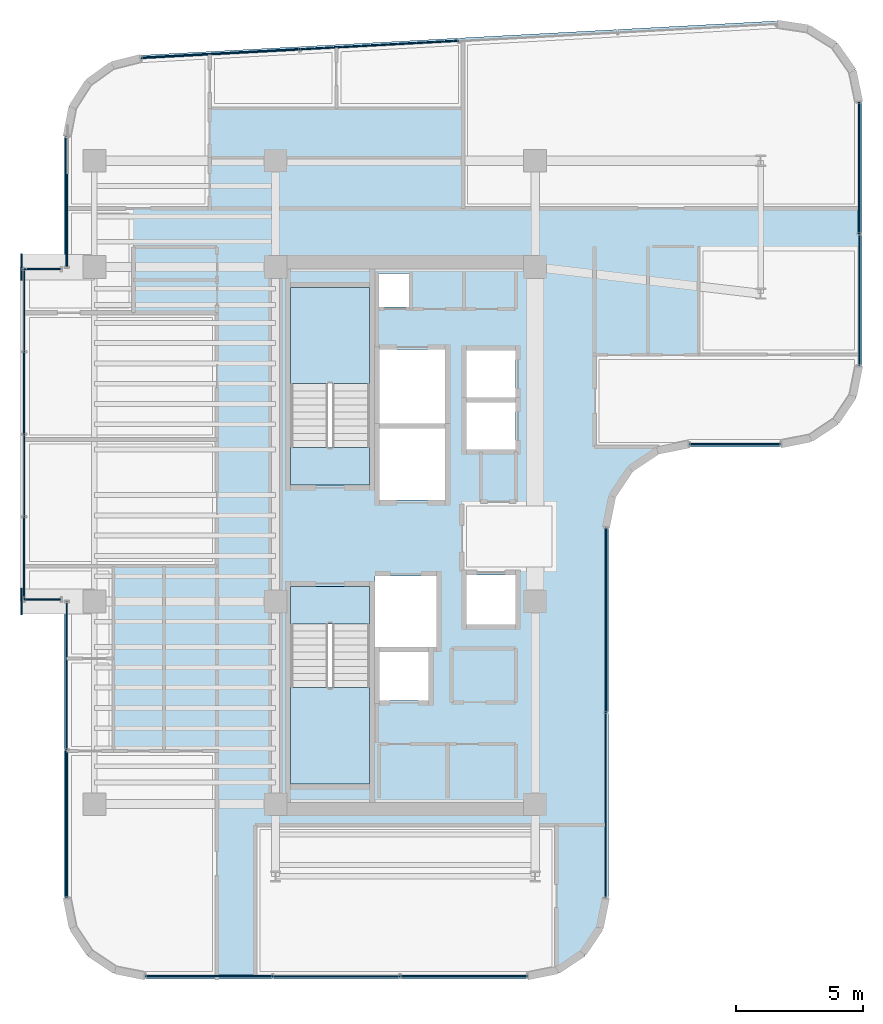
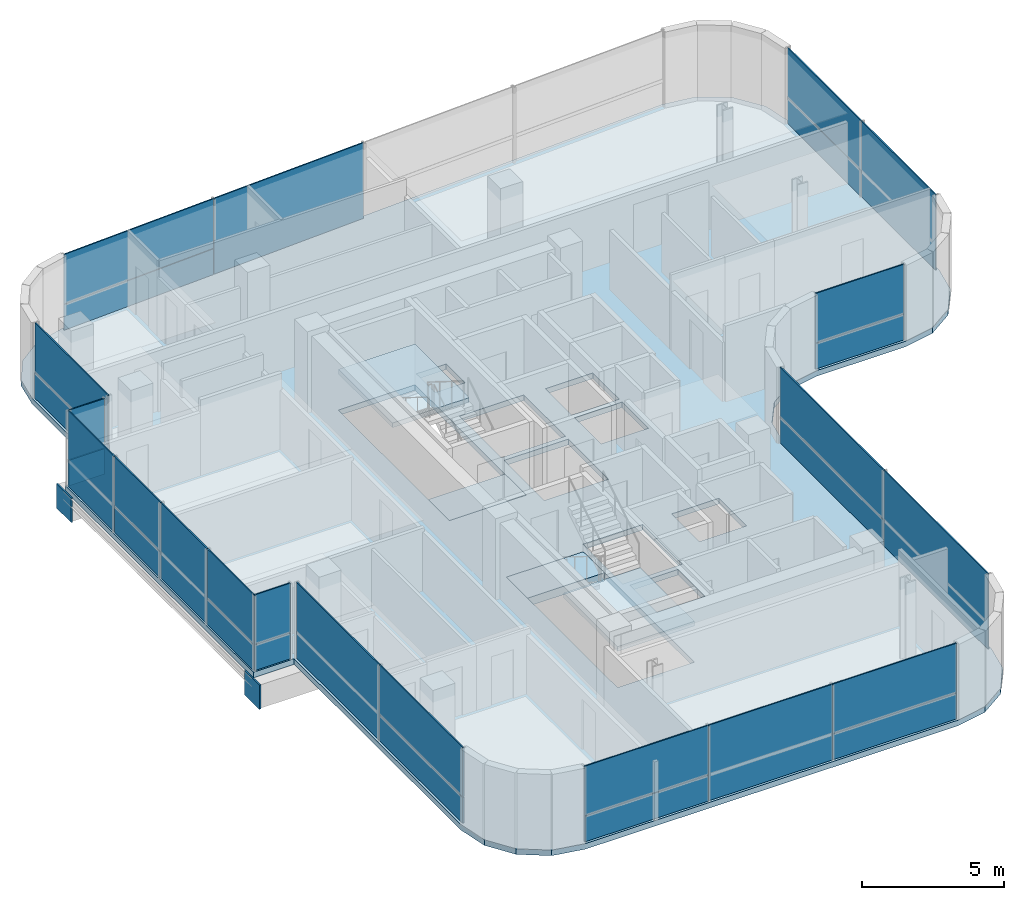
# One storey, part 15 of 22: 33 plates, 5 slabs, 12 elements without a shape of their own.
"""IFC4 building model written with IfcOpenShell, lengths in metres."""

from ifc_helpers import new_model, si_unit, direction, frame, origin, origin_2d, place, context, subcontext, project, spatial, polyline, rectangle, outline, extrude, source, transform, mapped, material, layer, layer_set, type_object, element, aggregate, save


model = new_model("IFC4")

# Units and contexts
model_context = context("Model", 3, precision=1e-05, world=origin(), true_north=direction((0.0, 1.0)))
body_context = subcontext(model_context, "Body", "Model", "MODEL_VIEW")
ifc_project = project(units=[si_unit("LENGTHUNIT", "METRE"), si_unit("AREAUNIT", "SQUARE_METRE"), si_unit("VOLUMEUNIT", "CUBIC_METRE"), si_unit("PLANEANGLEUNIT", "RADIAN"), si_unit("MASSUNIT", "GRAM", prefix="KILO")], contexts=[model_context])

# Site, building, storey
site_placement = place(None, origin())
site = spatial("IfcSite", under=ifc_project, at=site_placement, CompositionType="ELEMENT")
building_placement = place(site_placement, origin())
building = spatial("IfcBuilding", under=site, at=building_placement, Name="Valdorenza Pilgrim Sanctuary Tower", CompositionType="ELEMENT")
storey_placement = place(building_placement, frame((0.0, 0.0, 209.0)))
storey = spatial("IfcBuildingStorey", under=building, at=storey_placement, Name="L53", CompositionType="ELEMENT", Elevation=209.0)

# Slab
ifc_material_1 = material(Name="Concrete C40/50", Category="concrete")
ifc_layer_1 = layer(ifc_material_1, 0.239990234375, Name="Concrete C40/50")
ifc_layer_set_1 = layer_set([ifc_layer_1], Name="Concrete C40/50")
slab_type_1 = type_object("IfcSlabType", Name="SLAB-FLR-220", PredefinedType="FLOOR", material=ifc_layer_set_1)
slab_1_placement = place(storey_placement, frame((0.0, 0.0, -0.239990234375)))
element("IfcSlab", 1, at=slab_1_placement, inside=storey, type_object=slab_type_1, Name="L53 Structural Floor Slab 1", PredefinedType="FLOOR", context=body_context, shape_type="SweptSolid", body=[
    extrude(outline(polyline([(-30.772705078125, 16.95263671875), (-30.122802734375, 17.968994140625), (-29.14306640625, 18.672607421875), (-27.972412109375, 18.96337890625), (-2.872314453125, 20.318115234375), (-1.595947265625, 20.126220703125), (-0.4990234375, 19.445556640625), (0.239501953125, 18.386962890625), (0.5, 17.12255859375), (0.5, 6.699951171875), (0.25634765625, 5.475341796875), (-0.437255859375, 4.437255859375), (-1.475341796875, 3.74365234375), (-2.699951171875, 3.5), (-6.300048828125, 3.5), (-7.524658203125, 3.25634765625), (-8.562744140625, 2.562744140625), (-9.25634765625, 1.524658203125), (-9.5, 0.300048828125), (-9.5, -14.300048828125), (-9.74365234375, -15.524658203125), (-10.437255859375, -16.562744140625), (-11.475341796875, -17.25634765625), (-12.699951171875, -17.5), (-27.800048828125, -17.5), (-29.024658203125, -17.25634765625), (-30.062744140625, -16.562744140625), (-30.75634765625, -15.524658203125), (-31.0, -14.300048828125), (-31.0, -2.60009765625), (-32.64990234375, -2.60009765625), (-32.64990234375, 10.60009765625), (-31.0, 10.60009765625), (-31.0, 15.76806640625), (-30.772705078125, 16.95263671875)]), holes=[polyline([(-22.050048828125, -9.800048828125), (-18.93994140625, -9.800048828125), (-18.93994140625, -3.485107421875), (-18.93994140625, -2.0), (-22.050048828125, -2.0), (-22.050048828125, -3.485107421875), (-22.050048828125, -9.800048828125)]), polyline([(-16.60009765625, -6.5), (-16.60009765625, -4.60009765625), (-18.550048828125, -4.60009765625), (-18.550048828125, -6.5), (-16.60009765625, -6.5)]), polyline([(-22.050048828125, 2.0), (-18.93994140625, 2.0), (-18.93994140625, 3.485107421875), (-18.93994140625, 9.800048828125), (-22.050048828125, 9.800048828125), (-22.050048828125, 3.485107421875), (-22.050048828125, 2.0)]), polyline([(-17.360107421875, 9.030029296875), (-17.360107421875, 10.35009765625), (-18.570068359375, 10.35009765625), (-18.570068359375, 9.030029296875), (-17.360107421875, 9.030029296875)]), polyline([(-16.300048828125, -1.60009765625), (-18.719970703125, -1.60009765625), (-18.719970703125, -4.39990234375), (-16.300048828125, -4.39990234375), (-16.300048828125, -1.60009765625)]), polyline([(-13.179931640625, -3.5), (-13.179931640625, -1.550048828125), (-15.10009765625, -1.550048828125), (-15.10009765625, -3.5), (-13.179931640625, -3.5)]), polyline([(-15.949951171875, 1.39990234375), (-15.949951171875, 4.22509765625), (-18.550048828125, 4.22509765625), (-18.550048828125, 1.39990234375), (-15.949951171875, 1.39990234375)]), polyline([(-13.179931640625, 5.25), (-15.10009765625, 5.25), (-15.10009765625, 3.39990234375), (-13.179931640625, 3.39990234375), (-13.179931640625, 5.25)]), polyline([(-15.949951171875, 4.425048828125), (-15.949951171875, 7.35009765625), (-18.550048828125, 7.35009765625), (-18.550048828125, 4.425048828125), (-15.949951171875, 4.425048828125)]), polyline([(-13.179931640625, 5.449951171875), (-13.179931640625, 7.300048828125), (-15.10009765625, 7.300048828125), (-15.10009765625, 5.449951171875), (-13.179931640625, 5.449951171875)])]), origin(), (0.0, 0.0, 1.0), 0.239990234375),
])

# Stair, slab
stair_type = type_object("IfcStairType", Name="STR-DOG-CORE", PredefinedType="HALF_TURN_STAIR", material=ifc_material_1)
stair_1_placement = place(storey_placement, origin())
stair_1 = element("IfcStair", 2, at=stair_1_placement, inside=storey, type_object=stair_type, Name="L53 ST-A1", PredefinedType="HALF_TURN_STAIR")
ifc_layer_2 = layer(ifc_material_1, 0.199951171875, Name="Concrete C40/50")
ifc_layer_set_2 = layer_set([ifc_layer_2], Name="Concrete C40/50")
slab_type_2 = type_object("IfcSlabType", Name="SLAB-STL-200", PredefinedType="LANDING", material=ifc_layer_set_2)
slab_2_placement = place(storey_placement, frame((0.0, 0.0, 1.550048828125)))
slab_2 = element("IfcSlab", 3, at=slab_2_placement, type_object=slab_type_2, Name="ST-A1 landing 1", PredefinedType="LANDING", context=body_context, shape_type="SweptSolid", body=[
    extrude(outline(polyline([(-18.93994140625, 6.0), (-18.93994140625, 9.800048828125), (-22.050048828125, 9.800048828125), (-22.050048828125, 6.0), (-18.93994140625, 6.0)])), origin(), (0.0, 0.0, 1.0), 0.199951171875),
])
aggregate(stair_1, [slab_2])

stair_2_placement = place(storey_placement, origin())
stair_2 = element("IfcStair", 4, at=stair_2_placement, inside=storey, type_object=stair_type, Name="L53 ST-A2", PredefinedType="HALF_TURN_STAIR")
slab_3_placement = place(storey_placement, frame((0.0, 0.0, 1.550048828125)))
slab_3 = element("IfcSlab", 5, at=slab_3_placement, type_object=slab_type_2, Name="ST-A2 landing 1", PredefinedType="LANDING", context=body_context, shape_type="SweptSolid", body=[
    extrude(outline(polyline([(-22.050048828125, -6.0), (-22.050048828125, -9.800048828125), (-18.93994140625, -9.800048828125), (-18.93994140625, -6.0), (-22.050048828125, -6.0)])), origin(), (0.0, 0.0, 1.0), 0.199951171875),
])
aggregate(stair_2, [slab_3])

# Slabs
ifc_material_2 = material(Name="Concrete C50/60", Category="concrete")
ifc_layer_3 = layer(ifc_material_2, 0.39990234375, Name="Concrete C50/60")
ifc_layer_set_3 = layer_set([ifc_layer_3], Name="Concrete C50/60")
slab_type_3 = type_object("IfcSlabType", Name="SLAB-TRF-400", PredefinedType="FLOOR", material=ifc_layer_set_3)
slab_4_placement = place(storey_placement, frame((0.0, 0.0, -0.360107421875)))
element("IfcSlab", 6, at=slab_4_placement, inside=storey, type_object=slab_type_3, Name="L53 ST-A1 Structural Stair Landing Bearing Slab", PredefinedType="FLOOR", context=body_context, shape_type="SweptSolid", body=[
    extrude(outline(polyline([(-22.050048828125, 2.0), (-18.93994140625, 2.0), (-18.93994140625, 3.485107421875), (-22.050048828125, 3.485107421875), (-22.050048828125, 2.0)])), origin(), (0.0, 0.0, 1.0), 0.360107421875),
])
slab_5_placement = place(storey_placement, frame((0.0, 0.0, -0.360107421875)))
element("IfcSlab", 7, at=slab_5_placement, inside=storey, type_object=slab_type_3, Name="L53 ST-A2 Structural Stair Landing Bearing Slab", PredefinedType="FLOOR", context=body_context, shape_type="SweptSolid", body=[
    extrude(outline(polyline([(-22.050048828125, -3.485107421875), (-18.93994140625, -3.485107421875), (-18.93994140625, -2.0), (-22.050048828125, -2.0), (-22.050048828125, -3.485107421875)])), origin(), (0.0, 0.0, 1.0), 0.360107421875),
])

# Plates
ifc_material_3 = material(Name="Steel ASTM A572 Grade 42", Category="steel")
ifc_layer_4 = layer(ifc_material_3, 0.06005859375, Name="Steel ASTM A572 Grade 42")
ifc_layer_set_4 = layer_set([ifc_layer_4], Name="Steel ASTM A572 Grade 42")
plate_type_1 = type_object("IfcPlateType", Name="PLT-CAP-60", PredefinedType="SHEET", material=ifc_layer_set_4)
shared_shape_1 = source(origin(), body_context, "Body", "SweptSolid", [
    extrude(rectangle(XDim=0.06005859375, YDim=1.0400390625, at=origin_2d()), origin(), (0.0, 0.0, 1.0), 1.0400390625),
])
for number, where, z_axis, x_axis, name in (
    (8, (-32.679931640625, 10.60009765625, -1.260009765625), (0.0, 0.0, 1.0), (1.0, 0.0, 0.0), "L53 BOX-WA-L53 Cantilever Tip End Cap N"),
    (9, (-32.679931640625, -2.60009765625, -1.260009765625), (0.0, 0.0, 1.0), (1.0, 0.0, 0.0), "L53 BOX-WA-L53 Cantilever Tip End Cap S"),
):
    element("IfcPlate", number, at=place(storey_placement, frame(where, z_axis=z_axis, x_axis=x_axis)), inside=storey, type_object=plate_type_1, Name=name, PredefinedType="SHEET", context=body_context, shape_type="MappedRepresentation", body=[
        mapped(shared_shape_1, transform((0.0, 0.0, 0.0), x_axis=(1.0, 0.0, 0.0), y_axis=(0.0, 1.0, 0.0), z_axis=(0.0, 0.0, 1.0), scale=1.0)),
    ])

# Curtain wall, plate
ifc_material_4 = material(Name="Curtain-wall IGU glazing", Category="glass")
curtain_wall_type = type_object("IfcCurtainWallType", Name="CW-SYS-02", PredefinedType="NOTDEFINED", material=ifc_material_4)
curtain_wall_1_placement = place(storey_placement, origin())
curtain_wall_1 = element("IfcCurtainWall", 10, at=curtain_wall_1_placement, inside=storey, type_object=curtain_wall_type, Name="L53 Curtain Wall CW-L53-BOX-WA-L53-S", PredefinedType="NOTDEFINED")
ifc_material_5 = material(Name="Honed travertine limestone", Category="masonry")
ifc_layer_5 = layer(ifc_material_5, 0.050048828125, Name="Honed travertine limestone")
ifc_layer_set_5 = layer_set([ifc_layer_5], Name="Honed travertine limestone")
plate_type_2 = type_object("IfcPlateType", Name="CW-SPN-TRV", PredefinedType="USERDEFINED", material=ifc_layer_set_5)
shared_shape_2 = source(origin(), body_context, "Body", "SweptSolid", [
    extrude(rectangle(XDim=1.43994140625, YDim=0.06005859375, at=origin_2d()), origin(), (0.0, 0.0, 1.0), 1.10009765625),
])
plate_1_placement = place(storey_placement, frame((-31.840087890625, -2.52001953125, 0.010009765625), z_axis=(0.0, 0.0, 1.0), x_axis=(-1.0, 0.0, 0.0)))
plate_1 = element("IfcPlate", 11, at=plate_1_placement, type_object=plate_type_2, Name="CW-L53-BOX-WA-L53-S Travertine Spandrel 1", ObjectType="SPANDREL", PredefinedType="USERDEFINED", context=body_context, shape_type="MappedRepresentation", body=[
    mapped(shared_shape_2, transform((0.0, 0.0, 0.0), x_axis=(1.0, 0.0, 0.0), y_axis=(0.0, 1.0, 0.0), z_axis=(0.0, 0.0, 1.0), scale=1.0)),
])

curtain_wall_2_placement = place(storey_placement, origin())
curtain_wall_2 = element("IfcCurtainWall", 12, at=curtain_wall_2_placement, inside=storey, type_object=curtain_wall_type, Name="L53 Curtain Wall CW-L53-BOX-WA-L53-N", PredefinedType="NOTDEFINED")
plate_2_placement = place(storey_placement, frame((-31.840087890625, 10.52001953125, 0.010009765625), z_axis=(0.0, 0.0, 1.0), x_axis=(1.0, 0.0, 0.0)))
plate_2 = element("IfcPlate", 13, at=plate_2_placement, type_object=plate_type_2, Name="CW-L53-BOX-WA-L53-N Travertine Spandrel 1", ObjectType="SPANDREL", PredefinedType="USERDEFINED", context=body_context, shape_type="MappedRepresentation", body=[
    mapped(shared_shape_2, transform((0.0, 0.0, 0.0), x_axis=(1.0, 0.0, 0.0), y_axis=(0.0, 1.0, 0.0), z_axis=(0.0, 0.0, 1.0), scale=1.0)),
])

# Curtain wall, plates
curtain_wall_3_placement = place(storey_placement, origin())
curtain_wall_3 = element("IfcCurtainWall", 14, at=curtain_wall_3_placement, inside=storey, type_object=curtain_wall_type, Name="L53 Curtain Wall CW-L53-BOX-WA-L53-F", PredefinedType="NOTDEFINED")
shared_shape_3 = source(origin(), body_context, "Body", "SweptSolid", [
    extrude(rectangle(XDim=3.239990234375, YDim=0.06005859375, at=origin_2d()), origin(), (0.0, 0.0, 1.0), 1.10009765625),
])
plate_3_placement = place(storey_placement, frame((-32.570068359375, -0.889892578125, 0.010009765625), z_axis=(0.0, 0.0, 1.0), x_axis=(0.0, 1.0, 0.0)))
plate_3 = element("IfcPlate", 15, at=plate_3_placement, type_object=plate_type_2, Name="CW-L53-BOX-WA-L53-F Travertine Spandrel 1", ObjectType="SPANDREL", PredefinedType="USERDEFINED", context=body_context, shape_type="MappedRepresentation", body=[
    mapped(shared_shape_3, transform((0.0, 0.0, 0.0), x_axis=(1.0, 0.0, 0.0), y_axis=(0.0, 1.0, 0.0), z_axis=(0.0, 0.0, 1.0), scale=1.0)),
])
plate_4_placement = place(storey_placement, frame((-32.570068359375, 5.6298828125, 0.010009765625), z_axis=(0.0, 0.0, 1.0), x_axis=(0.0, 1.0, 0.0)))
plate_4 = element("IfcPlate", 16, at=plate_4_placement, type_object=plate_type_2, Name="CW-L53-BOX-WA-L53-F Travertine Spandrel 3", ObjectType="SPANDREL", PredefinedType="USERDEFINED", context=body_context, shape_type="MappedRepresentation", body=[
    mapped(shared_shape_3, transform((0.0, 0.0, 0.0), x_axis=(1.0, 0.0, 0.0), y_axis=(0.0, 1.0, 0.0), z_axis=(0.0, 0.0, 1.0), scale=1.0)),
])

# Curtain wall, plate
curtain_wall_4_placement = place(storey_placement, origin())
curtain_wall_4 = element("IfcCurtainWall", 17, at=curtain_wall_4_placement, inside=storey, type_object=curtain_wall_type, Name="L53 Curtain Wall CW-L53-1-1S1", PredefinedType="NOTDEFINED")
shared_shape_4 = source(origin(), body_context, "Body", "SweptSolid", [
    extrude(rectangle(XDim=5.82470703125, YDim=0.06005859375, at=origin_2d()), origin(), (0.0, 0.0, 1.0), 1.10009765625),
])
plate_5_placement = place(storey_placement, frame((-30.889892578125, -11.366943359375, 0.010009765625), z_axis=(0.0, 0.0, 1.0), x_axis=(0.0, 1.0, 0.0)))
plate_5 = element("IfcPlate", 18, at=plate_5_placement, type_object=plate_type_2, Name="CW-L53-1-1S1 Travertine Spandrel 1", ObjectType="SPANDREL", PredefinedType="USERDEFINED", context=body_context, shape_type="MappedRepresentation", body=[
    mapped(shared_shape_4, transform((0.0, 0.0, 0.0), x_axis=(1.0, 0.0, 0.0), y_axis=(0.0, 1.0, 0.0), z_axis=(0.0, 0.0, 1.0), scale=1.0)),
])

# Curtain wall, plates
curtain_wall_5_placement = place(storey_placement, origin())
curtain_wall_5 = element("IfcCurtainWall", 19, at=curtain_wall_5_placement, inside=storey, type_object=curtain_wall_type, Name="L53 Curtain Wall CW-L53-1-26", PredefinedType="NOTDEFINED")
shared_shape_5 = source(origin(), body_context, "Body", "SweptSolid", [
    extrude(rectangle(XDim=5.006103515625, YDim=0.06005859375, at=origin_2d()), origin(), (0.0, 0.0, 1.0), 1.10009765625),
])
plate_6_placement = place(storey_placement, frame((-15.223876953125, -17.389892578125, 0.010009765625), z_axis=(0.0, 0.0, 1.0), x_axis=(-1.0, 0.0, 0.0)))
plate_6 = element("IfcPlate", 20, at=plate_6_placement, type_object=plate_type_2, Name="CW-L53-1-26 Travertine Spandrel 1", ObjectType="SPANDREL", PredefinedType="USERDEFINED", context=body_context, shape_type="MappedRepresentation", body=[
    mapped(shared_shape_5, transform((0.0, 0.0, 0.0), x_axis=(1.0, 0.0, 0.0), y_axis=(0.0, 1.0, 0.0), z_axis=(0.0, 0.0, 1.0), scale=1.0)),
])
plate_7_placement = place(storey_placement, frame((-25.276123046875, -17.389892578125, 0.010009765625), z_axis=(0.0, 0.0, 1.0), x_axis=(-1.0, 0.0, 0.0)))
plate_7 = element("IfcPlate", 21, at=plate_7_placement, type_object=plate_type_2, Name="CW-L53-1-26 Travertine Spandrel 3", ObjectType="SPANDREL", PredefinedType="USERDEFINED", context=body_context, shape_type="MappedRepresentation", body=[
    mapped(shared_shape_5, transform((0.0, 0.0, 0.0), x_axis=(1.0, 0.0, 0.0), y_axis=(0.0, 1.0, 0.0), z_axis=(0.0, 0.0, 1.0), scale=1.0)),
])

# Curtain wall, plate
curtain_wall_6_placement = place(storey_placement, origin())
curtain_wall_6 = element("IfcCurtainWall", 22, at=curtain_wall_6_placement, inside=storey, type_object=curtain_wall_type, Name="L53 Curtain Wall CW-L53-1-6", PredefinedType="NOTDEFINED")
shared_shape_6 = source(origin(), body_context, "Body", "SweptSolid", [
    extrude(rectangle(XDim=6.2587890625, YDim=0.06005859375, at=origin_2d()), origin(), (0.0, 0.0, 1.0), 1.10009765625),
])
plate_8_placement = place(storey_placement, frame((-24.8212890625, 19.023193359375, 0.010009765625), z_axis=(0.0, 0.0, 1.0), x_axis=(0.998547034311, 0.053887106711, 0.0)))
plate_8 = element("IfcPlate", 23, at=plate_8_placement, type_object=plate_type_2, Name="CW-L53-1-6 Travertine Spandrel 1", ObjectType="SPANDREL", PredefinedType="USERDEFINED", context=body_context, shape_type="MappedRepresentation", body=[
    mapped(shared_shape_6, transform((0.0, 0.0, 0.0), x_axis=(1.0, 0.0, 0.0), y_axis=(0.0, 1.0, 0.0), z_axis=(0.0, 0.0, 1.0), scale=1.0)),
])

curtain_wall_7_placement = place(storey_placement, origin())
curtain_wall_7 = element("IfcCurtainWall", 24, at=curtain_wall_7_placement, inside=storey, type_object=curtain_wall_type, Name="L53 Curtain Wall CW-L53-1-16", PredefinedType="NOTDEFINED")
shared_shape_7 = source(origin(), body_context, "Body", "SweptSolid", [
    extrude(rectangle(XDim=3.580078125, YDim=0.06005859375, at=origin_2d()), origin(), (0.0, 0.0, 1.0), 1.10009765625),
])
plate_9_placement = place(storey_placement, frame((-4.5107421875, 3.610107421875, 0.010009765625), z_axis=(0.0, 0.0, 1.0), x_axis=(-1.0, 0.0, 0.0)))
plate_9 = element("IfcPlate", 25, at=plate_9_placement, type_object=plate_type_2, Name="CW-L53-1-16 Travertine Spandrel 1", ObjectType="SPANDREL", PredefinedType="USERDEFINED", context=body_context, shape_type="MappedRepresentation", body=[
    mapped(shared_shape_7, transform((0.0, 0.0, 0.0), x_axis=(1.0, 0.0, 0.0), y_axis=(0.0, 1.0, 0.0), z_axis=(0.0, 0.0, 1.0), scale=1.0)),
])

curtain_wall_8_placement = place(storey_placement, origin())
curtain_wall_8 = element("IfcCurtainWall", 26, at=curtain_wall_8_placement, inside=storey, type_object=curtain_wall_type, Name="L53 Curtain Wall CW-L53-1-21", PredefinedType="NOTDEFINED")
shared_shape_8 = source(origin(), body_context, "Body", "SweptSolid", [
    extrude(rectangle(XDim=7.280029296875, YDim=0.06005859375, at=origin_2d()), origin(), (0.0, 0.0, 1.0), 1.10009765625),
])
plate_10_placement = place(storey_placement, frame((-9.610107421875, -3.339111328125, 0.010009765625), z_axis=(0.0, 0.0, 1.0), x_axis=(0.0, -1.0, 0.0)))
plate_10 = element("IfcPlate", 27, at=plate_10_placement, type_object=plate_type_2, Name="CW-L53-1-21 Travertine Spandrel 1", ObjectType="SPANDREL", PredefinedType="USERDEFINED", context=body_context, shape_type="MappedRepresentation", body=[
    mapped(shared_shape_8, transform((0.0, 0.0, 0.0), x_axis=(1.0, 0.0, 0.0), y_axis=(0.0, 1.0, 0.0), z_axis=(0.0, 0.0, 1.0), scale=1.0)),
])

curtain_wall_9_placement = place(storey_placement, origin())
curtain_wall_9 = element("IfcCurtainWall", 28, at=curtain_wall_9_placement, inside=storey, type_object=curtain_wall_type, Name="L53 Curtain Wall CW-L53-1-11", PredefinedType="NOTDEFINED")
shared_shape_9 = source(origin(), body_context, "Body", "SweptSolid", [
    extrude(rectangle(XDim=5.180419921875, YDim=0.06005859375, at=origin_2d()), origin(), (0.0, 0.0, 1.0), 1.10009765625),
])
plate_11_placement = place(storey_placement, frame((0.389892578125, 14.51123046875, 0.010009765625), z_axis=(0.0, 0.0, 1.0), x_axis=(0.0, -1.0, 0.0)))
plate_11 = element("IfcPlate", 29, at=plate_11_placement, type_object=plate_type_2, Name="CW-L53-1-11 Travertine Spandrel 1", ObjectType="SPANDREL", PredefinedType="USERDEFINED", context=body_context, shape_type="MappedRepresentation", body=[
    mapped(shared_shape_9, transform((0.0, 0.0, 0.0), x_axis=(1.0, 0.0, 0.0), y_axis=(0.0, 1.0, 0.0), z_axis=(0.0, 0.0, 1.0), scale=1.0)),
])

# Plate
ifc_material_6 = material(Name="Ceramic-fritted low-E IGU glazing", Category="glass")
ifc_layer_6 = layer(ifc_material_6, 0.035888671875, Name="Ceramic-fritted low-E IGU glazing")
ifc_layer_set_6 = layer_set([ifc_layer_6], Name="Ceramic-fritted low-E IGU glazing")
plate_type_3 = type_object("IfcPlateType", Name="CW-GLZ-IGU", PredefinedType="USERDEFINED", material=ifc_layer_set_6)
shared_shape_10 = source(origin(), body_context, "Body", "SweptSolid", [
    extrude(rectangle(XDim=6.2587890625, YDim=0.050048828125, at=origin_2d()), origin(), (0.0, 0.0, 1.0), 2.1201171875),
])
plate_12_placement = place(storey_placement, frame((-24.8212890625, 19.023193359375, 1.1298828125), z_axis=(0.0, 0.0, 1.0), x_axis=(0.998547034311, 0.053887106711, 0.0)))
plate_12 = element("IfcPlate", 30, at=plate_12_placement, type_object=plate_type_3, Name="CW-L53-1-6 Facade Panel 1", ObjectType="GLAZING", PredefinedType="USERDEFINED", context=body_context, shape_type="MappedRepresentation", body=[
    mapped(shared_shape_10, transform((0.0, 0.0, 0.0), x_axis=(1.0, 0.0, 0.0), y_axis=(0.0, 1.0, 0.0), z_axis=(0.0, 0.0, 1.0), scale=1.0)),
])

shared_shape_11 = source(origin(), body_context, "Body", "SweptSolid", [
    extrude(rectangle(XDim=6.2587890625, YDim=0.050048828125, at=origin_2d()), origin(), (0.0, 0.0, 1.0), 3.239990234375),
])
plate_13_placement = place(storey_placement, frame((-18.551513671875, 19.36181640625, 0.009765625), z_axis=(0.0, 0.0, 1.0), x_axis=(0.998547034311, 0.053887106711, 0.0)))
plate_13 = element("IfcPlate", 31, at=plate_13_placement, type_object=plate_type_3, Name="CW-L53-1-6 Full-Height Facade Panel 2", ObjectType="GLAZING", PredefinedType="USERDEFINED", context=body_context, shape_type="MappedRepresentation", body=[
    mapped(shared_shape_11, transform((0.0, 0.0, 0.0), x_axis=(1.0, 0.0, 0.0), y_axis=(0.0, 1.0, 0.0), z_axis=(0.0, 0.0, 1.0), scale=1.0)),
])

aggregate(curtain_wall_6, [plate_8, plate_12, plate_13])

shared_shape_12 = source(origin(), body_context, "Body", "SweptSolid", [
    extrude(rectangle(XDim=5.180419921875, YDim=0.050048828125, at=origin_2d()), origin(), (0.0, 0.0, 1.0), 2.1201171875),
])
plate_14_placement = place(storey_placement, frame((0.389892578125, 14.51123046875, 1.1298828125), z_axis=(0.0, 0.0, 1.0), x_axis=(0.0, -1.0, 0.0)))
plate_14 = element("IfcPlate", 32, at=plate_14_placement, type_object=plate_type_3, Name="CW-L53-1-11 Facade Panel 1", ObjectType="GLAZING", PredefinedType="USERDEFINED", context=body_context, shape_type="MappedRepresentation", body=[
    mapped(shared_shape_12, transform((0.0, 0.0, 0.0), x_axis=(1.0, 0.0, 0.0), y_axis=(0.0, 1.0, 0.0), z_axis=(0.0, 0.0, 1.0), scale=1.0)),
])

shared_shape_13 = source(origin(), body_context, "Body", "SweptSolid", [
    extrude(rectangle(XDim=5.180419921875, YDim=0.050048828125, at=origin_2d()), origin(), (0.0, 0.0, 1.0), 3.239990234375),
])
plate_15_placement = place(storey_placement, frame((0.389892578125, 9.310791015625, 0.009765625), z_axis=(0.0, 0.0, 1.0), x_axis=(0.0, -1.0, 0.0)))
plate_15 = element("IfcPlate", 33, at=plate_15_placement, type_object=plate_type_3, Name="CW-L53-1-11 Full-Height Facade Panel 2", ObjectType="GLAZING", PredefinedType="USERDEFINED", context=body_context, shape_type="MappedRepresentation", body=[
    mapped(shared_shape_13, transform((0.0, 0.0, 0.0), x_axis=(1.0, 0.0, 0.0), y_axis=(0.0, 1.0, 0.0), z_axis=(0.0, 0.0, 1.0), scale=1.0)),
])

aggregate(curtain_wall_9, [plate_11, plate_14, plate_15])

shared_shape_14 = source(origin(), body_context, "Body", "SweptSolid", [
    extrude(rectangle(XDim=3.580078125, YDim=0.050048828125, at=origin_2d()), origin(), (0.0, 0.0, 1.0), 2.1201171875),
])
plate_16_placement = place(storey_placement, frame((-4.5107421875, 3.610107421875, 1.1298828125), z_axis=(0.0, 0.0, 1.0), x_axis=(-1.0, 0.0, 0.0)))
plate_16 = element("IfcPlate", 34, at=plate_16_placement, type_object=plate_type_3, Name="CW-L53-1-16 Facade Panel 1", ObjectType="GLAZING", PredefinedType="USERDEFINED", context=body_context, shape_type="MappedRepresentation", body=[
    mapped(shared_shape_14, transform((0.0, 0.0, 0.0), x_axis=(1.0, 0.0, 0.0), y_axis=(0.0, 1.0, 0.0), z_axis=(0.0, 0.0, 1.0), scale=1.0)),
])

aggregate(curtain_wall_7, [plate_9, plate_16])

shared_shape_15 = source(origin(), body_context, "Body", "SweptSolid", [
    extrude(rectangle(XDim=7.280029296875, YDim=0.050048828125, at=origin_2d()), origin(), (0.0, 0.0, 1.0), 2.1201171875),
])
plate_17_placement = place(storey_placement, frame((-9.610107421875, -3.339111328125, 1.1298828125), z_axis=(0.0, 0.0, 1.0), x_axis=(0.0, -1.0, 0.0)))
plate_17 = element("IfcPlate", 35, at=plate_17_placement, type_object=plate_type_3, Name="CW-L53-1-21 Facade Panel 1", ObjectType="GLAZING", PredefinedType="USERDEFINED", context=body_context, shape_type="MappedRepresentation", body=[
    mapped(shared_shape_15, transform((0.0, 0.0, 0.0), x_axis=(1.0, 0.0, 0.0), y_axis=(0.0, 1.0, 0.0), z_axis=(0.0, 0.0, 1.0), scale=1.0)),
])

shared_shape_16 = source(origin(), body_context, "Body", "SweptSolid", [
    extrude(rectangle(XDim=7.280029296875, YDim=0.050048828125, at=origin_2d()), origin(), (0.0, 0.0, 1.0), 3.239990234375),
])
plate_18_placement = place(storey_placement, frame((-9.610107421875, -10.63916015625, 0.009765625), z_axis=(0.0, 0.0, 1.0), x_axis=(0.0, -1.0, 0.0)))
plate_18 = element("IfcPlate", 36, at=plate_18_placement, type_object=plate_type_3, Name="CW-L53-1-21 Full-Height Facade Panel 2", ObjectType="GLAZING", PredefinedType="USERDEFINED", context=body_context, shape_type="MappedRepresentation", body=[
    mapped(shared_shape_16, transform((0.0, 0.0, 0.0), x_axis=(1.0, 0.0, 0.0), y_axis=(0.0, 1.0, 0.0), z_axis=(0.0, 0.0, 1.0), scale=1.0)),
])

aggregate(curtain_wall_8, [plate_10, plate_17, plate_18])

shared_shape_17 = source(origin(), body_context, "Body", "SweptSolid", [
    extrude(rectangle(XDim=5.006103515625, YDim=0.050048828125, at=origin_2d()), origin(), (0.0, 0.0, 1.0), 2.1201171875),
])
plate_19_placement = place(storey_placement, frame((-15.223876953125, -17.389892578125, 1.1298828125), z_axis=(0.0, 0.0, 1.0), x_axis=(-1.0, 0.0, 0.0)))
plate_19 = element("IfcPlate", 37, at=plate_19_placement, type_object=plate_type_3, Name="CW-L53-1-26 Facade Panel 1", ObjectType="GLAZING", PredefinedType="USERDEFINED", context=body_context, shape_type="MappedRepresentation", body=[
    mapped(shared_shape_17, transform((0.0, 0.0, 0.0), x_axis=(1.0, 0.0, 0.0), y_axis=(0.0, 1.0, 0.0), z_axis=(0.0, 0.0, 1.0), scale=1.0)),
])

plate_20_placement = place(storey_placement, frame((-25.276123046875, -17.389892578125, 1.1298828125), z_axis=(0.0, 0.0, 1.0), x_axis=(-1.0, 0.0, 0.0)))
plate_20 = element("IfcPlate", 38, at=plate_20_placement, type_object=plate_type_3, Name="CW-L53-1-26 Facade Panel 3", ObjectType="GLAZING", PredefinedType="USERDEFINED", context=body_context, shape_type="MappedRepresentation", body=[
    mapped(shared_shape_17, transform((0.0, 0.0, 0.0), x_axis=(1.0, 0.0, 0.0), y_axis=(0.0, 1.0, 0.0), z_axis=(0.0, 0.0, 1.0), scale=1.0)),
])

shared_shape_18 = source(origin(), body_context, "Body", "SweptSolid", [
    extrude(rectangle(XDim=5.006103515625, YDim=0.050048828125, at=origin_2d()), origin(), (0.0, 0.0, 1.0), 3.239990234375),
])
plate_21_placement = place(storey_placement, frame((-20.25, -17.389892578125, 0.009765625), z_axis=(0.0, 0.0, 1.0), x_axis=(-1.0, 0.0, 0.0)))
plate_21 = element("IfcPlate", 39, at=plate_21_placement, type_object=plate_type_3, Name="CW-L53-1-26 Full-Height Facade Panel 2", ObjectType="GLAZING", PredefinedType="USERDEFINED", context=body_context, shape_type="MappedRepresentation", body=[
    mapped(shared_shape_18, transform((0.0, 0.0, 0.0), x_axis=(1.0, 0.0, 0.0), y_axis=(0.0, 1.0, 0.0), z_axis=(0.0, 0.0, 1.0), scale=1.0)),
])

aggregate(curtain_wall_5, [plate_6, plate_19, plate_21, plate_7, plate_20])

shared_shape_19 = source(origin(), body_context, "Body", "SweptSolid", [
    extrude(rectangle(XDim=1.43994140625, YDim=0.050048828125, at=origin_2d()), origin(), (0.0, 0.0, 1.0), 2.1201171875),
])
plate_22_placement = place(storey_placement, frame((-31.840087890625, -2.52001953125, 1.1298828125), z_axis=(0.0, 0.0, 1.0), x_axis=(-1.0, 0.0, 0.0)))
plate_22 = element("IfcPlate", 40, at=plate_22_placement, type_object=plate_type_3, Name="CW-L53-BOX-WA-L53-S Facade Panel 1", ObjectType="GLAZING", PredefinedType="USERDEFINED", context=body_context, shape_type="MappedRepresentation", body=[
    mapped(shared_shape_19, transform((0.0, 0.0, 0.0), x_axis=(1.0, 0.0, 0.0), y_axis=(0.0, 1.0, 0.0), z_axis=(0.0, 0.0, 1.0), scale=1.0)),
])

aggregate(curtain_wall_1, [plate_1, plate_22])

plate_23_placement = place(storey_placement, frame((-31.840087890625, 10.52001953125, 1.1298828125), z_axis=(0.0, 0.0, 1.0), x_axis=(1.0, 0.0, 0.0)))
plate_23 = element("IfcPlate", 41, at=plate_23_placement, type_object=plate_type_3, Name="CW-L53-BOX-WA-L53-N Facade Panel 1", ObjectType="GLAZING", PredefinedType="USERDEFINED", context=body_context, shape_type="MappedRepresentation", body=[
    mapped(shared_shape_19, transform((0.0, 0.0, 0.0), x_axis=(1.0, 0.0, 0.0), y_axis=(0.0, 1.0, 0.0), z_axis=(0.0, 0.0, 1.0), scale=1.0)),
])

aggregate(curtain_wall_2, [plate_2, plate_23])

shared_shape_20 = source(origin(), body_context, "Body", "SweptSolid", [
    extrude(rectangle(XDim=5.82470703125, YDim=0.050048828125, at=origin_2d()), origin(), (0.0, 0.0, 1.0), 2.1201171875),
])
plate_24_placement = place(storey_placement, frame((-30.889892578125, -11.366943359375, 1.1298828125), z_axis=(0.0, 0.0, 1.0), x_axis=(0.0, 1.0, 0.0)))
plate_24 = element("IfcPlate", 42, at=plate_24_placement, type_object=plate_type_3, Name="CW-L53-1-1S1 Facade Panel 1", ObjectType="GLAZING", PredefinedType="USERDEFINED", context=body_context, shape_type="MappedRepresentation", body=[
    mapped(shared_shape_20, transform((0.0, 0.0, 0.0), x_axis=(1.0, 0.0, 0.0), y_axis=(0.0, 1.0, 0.0), z_axis=(0.0, 0.0, 1.0), scale=1.0)),
])

shared_shape_21 = source(origin(), body_context, "Body", "SweptSolid", [
    extrude(rectangle(XDim=5.82470703125, YDim=0.050048828125, at=origin_2d()), origin(), (0.0, 0.0, 1.0), 3.239990234375),
])
plate_25_placement = place(storey_placement, frame((-30.889892578125, -5.522216796875, 0.009765625), z_axis=(0.0, 0.0, 1.0), x_axis=(0.0, 1.0, 0.0)))
plate_25 = element("IfcPlate", 43, at=plate_25_placement, type_object=plate_type_3, Name="CW-L53-1-1S1 Full-Height Facade Panel 2", ObjectType="GLAZING", PredefinedType="USERDEFINED", context=body_context, shape_type="MappedRepresentation", body=[
    mapped(shared_shape_21, transform((0.0, 0.0, 0.0), x_axis=(1.0, 0.0, 0.0), y_axis=(0.0, 1.0, 0.0), z_axis=(0.0, 0.0, 1.0), scale=1.0)),
])

aggregate(curtain_wall_4, [plate_5, plate_24, plate_25])

# Curtain wall, plates
curtain_wall_10_placement = place(storey_placement, origin())
curtain_wall_10 = element("IfcCurtainWall", 44, at=curtain_wall_10_placement, inside=storey, type_object=curtain_wall_type, Name="L53 Curtain Wall CW-L53-1-1S2", PredefinedType="NOTDEFINED")
shared_shape_22 = source(origin(), body_context, "Body", "SweptSolid", [
    extrude(rectangle(XDim=5.137451171875, YDim=0.06005859375, at=origin_2d()), origin(), (0.0, 0.0, 1.0), 1.10009765625),
])
plate_26_placement = place(storey_placement, frame((-30.889892578125, 13.1787109375, 0.010009765625), z_axis=(0.0, 0.0, 1.0), x_axis=(0.0, 1.0, 0.0)))
plate_26 = element("IfcPlate", 45, at=plate_26_placement, type_object=plate_type_2, Name="CW-L53-1-1S2 Travertine Spandrel 1", ObjectType="SPANDREL", PredefinedType="USERDEFINED", context=body_context, shape_type="MappedRepresentation", body=[
    mapped(shared_shape_22, transform((0.0, 0.0, 0.0), x_axis=(1.0, 0.0, 0.0), y_axis=(0.0, 1.0, 0.0), z_axis=(0.0, 0.0, 1.0), scale=1.0)),
])
shared_shape_23 = source(origin(), body_context, "Body", "SweptSolid", [
    extrude(rectangle(XDim=5.137451171875, YDim=0.050048828125, at=origin_2d()), origin(), (0.0, 0.0, 1.0), 2.1201171875),
])
plate_27_placement = place(storey_placement, frame((-30.889892578125, 13.1787109375, 1.1298828125), z_axis=(0.0, 0.0, 1.0), x_axis=(0.0, 1.0, 0.0)))
plate_27 = element("IfcPlate", 46, at=plate_27_placement, type_object=plate_type_3, Name="CW-L53-1-1S2 Facade Panel 1", ObjectType="GLAZING", PredefinedType="USERDEFINED", context=body_context, shape_type="MappedRepresentation", body=[
    mapped(shared_shape_23, transform((0.0, 0.0, 0.0), x_axis=(1.0, 0.0, 0.0), y_axis=(0.0, 1.0, 0.0), z_axis=(0.0, 0.0, 1.0), scale=1.0)),
])
aggregate(curtain_wall_10, [plate_26, plate_27])

# Plate
shared_shape_24 = source(origin(), body_context, "Body", "SweptSolid", [
    extrude(rectangle(XDim=3.239990234375, YDim=0.050048828125, at=origin_2d()), origin(), (0.0, 0.0, 1.0), 2.1201171875),
])
plate_28_placement = place(storey_placement, frame((-32.570068359375, -0.889892578125, 1.1298828125), z_axis=(0.0, 0.0, 1.0), x_axis=(0.0, 1.0, 0.0)))
plate_28 = element("IfcPlate", 47, at=plate_28_placement, type_object=plate_type_3, Name="CW-L53-BOX-WA-L53-F Facade Panel 1", ObjectType="GLAZING", PredefinedType="USERDEFINED", context=body_context, shape_type="MappedRepresentation", body=[
    mapped(shared_shape_24, transform((0.0, 0.0, 0.0), x_axis=(1.0, 0.0, 0.0), y_axis=(0.0, 1.0, 0.0), z_axis=(0.0, 0.0, 1.0), scale=1.0)),
])

plate_29_placement = place(storey_placement, frame((-32.570068359375, 5.6298828125, 1.1298828125), z_axis=(0.0, 0.0, 1.0), x_axis=(0.0, 1.0, 0.0)))
plate_29 = element("IfcPlate", 48, at=plate_29_placement, type_object=plate_type_3, Name="CW-L53-BOX-WA-L53-F Facade Panel 3", ObjectType="GLAZING", PredefinedType="USERDEFINED", context=body_context, shape_type="MappedRepresentation", body=[
    mapped(shared_shape_24, transform((0.0, 0.0, 0.0), x_axis=(1.0, 0.0, 0.0), y_axis=(0.0, 1.0, 0.0), z_axis=(0.0, 0.0, 1.0), scale=1.0)),
])

shared_shape_25 = source(origin(), body_context, "Body", "SweptSolid", [
    extrude(rectangle(XDim=3.239990234375, YDim=0.050048828125, at=origin_2d()), origin(), (0.0, 0.0, 1.0), 3.239990234375),
])
plate_30_placement = place(storey_placement, frame((-32.570068359375, 2.3701171875, 0.009765625), z_axis=(0.0, 0.0, 1.0), x_axis=(0.0, 1.0, 0.0)))
plate_30 = element("IfcPlate", 49, at=plate_30_placement, type_object=plate_type_3, Name="CW-L53-BOX-WA-L53-F Full-Height Facade Panel 2", ObjectType="GLAZING", PredefinedType="USERDEFINED", context=body_context, shape_type="MappedRepresentation", body=[
    mapped(shared_shape_25, transform((0.0, 0.0, 0.0), x_axis=(1.0, 0.0, 0.0), y_axis=(0.0, 1.0, 0.0), z_axis=(0.0, 0.0, 1.0), scale=1.0)),
])

plate_31_placement = place(storey_placement, frame((-32.570068359375, 8.889892578125, 0.009765625), z_axis=(0.0, 0.0, 1.0), x_axis=(0.0, 1.0, 0.0)))
plate_31 = element("IfcPlate", 50, at=plate_31_placement, type_object=plate_type_3, Name="CW-L53-BOX-WA-L53-F Full-Height Facade Panel 4", ObjectType="GLAZING", PredefinedType="USERDEFINED", context=body_context, shape_type="MappedRepresentation", body=[
    mapped(shared_shape_25, transform((0.0, 0.0, 0.0), x_axis=(1.0, 0.0, 0.0), y_axis=(0.0, 1.0, 0.0), z_axis=(0.0, 0.0, 1.0), scale=1.0)),
])

aggregate(curtain_wall_3, [plate_3, plate_28, plate_30, plate_4, plate_29, plate_31])

save(model, "model.ifc")
